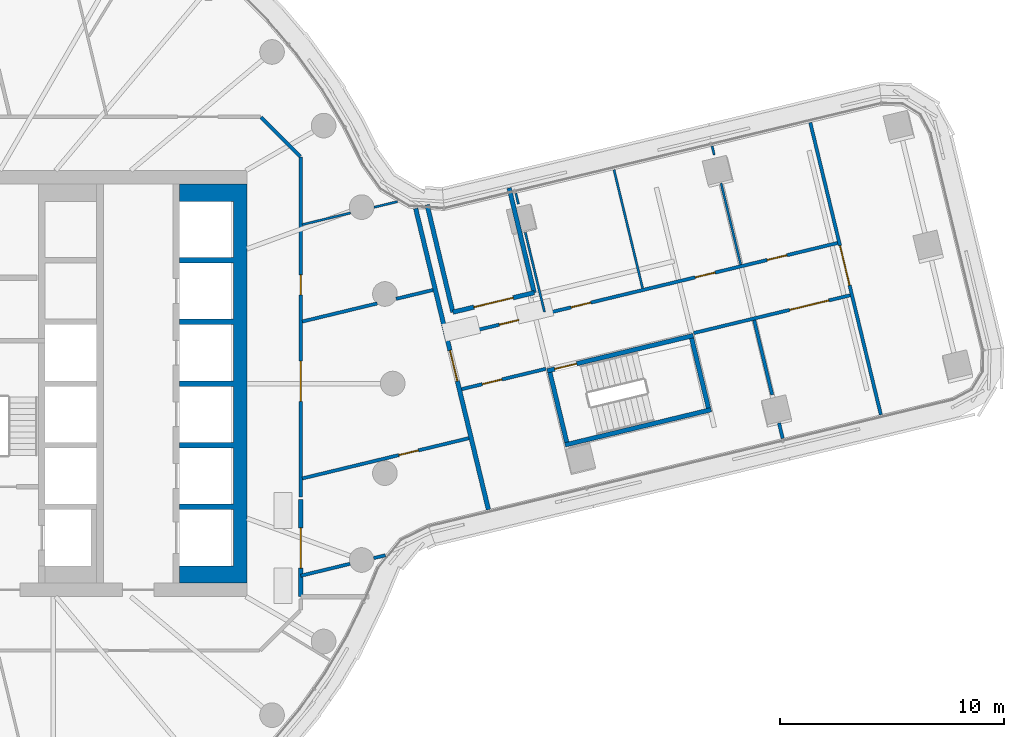
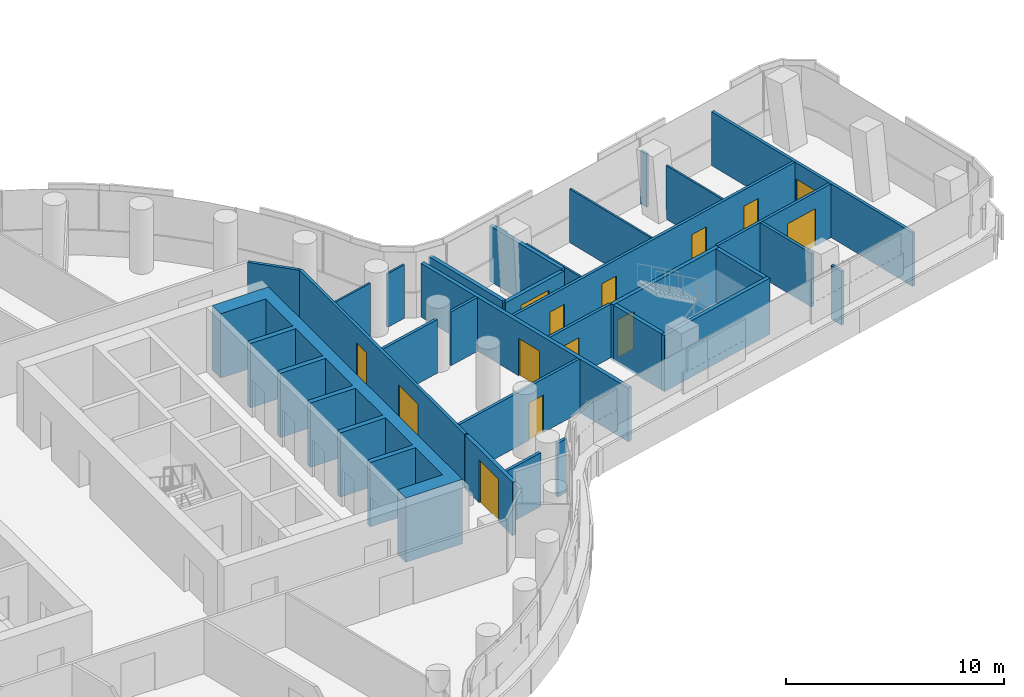
# One storey, part 22 of 33: 30 walls, 14 doors, 14 openings.
"""IFC4 building model written with IfcOpenShell, lengths in metres."""

from ifc_helpers import new_model, si_unit, direction, frame, frame_2d, origin, place, context, subcontext, project, spatial, polyline, rectangle, outline, extrude, material, layer, layer_set, type_object, element, fill, save


model = new_model("IFC4")

# Units and contexts
model_context = context("Model", 3, precision=1e-05, world=origin(), true_north=direction((0.0, 1.0)))
body_context = subcontext(model_context, "Body", "Model", "MODEL_VIEW")
ifc_project = project(units=[si_unit("LENGTHUNIT", "METRE"), si_unit("AREAUNIT", "SQUARE_METRE"), si_unit("VOLUMEUNIT", "CUBIC_METRE"), si_unit("PLANEANGLEUNIT", "RADIAN"), si_unit("MASSUNIT", "GRAM", prefix="KILO")], contexts=[model_context])

# Site, building, storey
site_placement = place(None, origin())
site = spatial("IfcSite", under=ifc_project, at=site_placement, CompositionType="ELEMENT")
building_placement = place(site_placement, origin())
building = spatial("IfcBuilding", under=site, at=building_placement, Name="Tamarind Cross Interchange Tower", CompositionType="ELEMENT")
storey_placement = place(building_placement, frame((0.0, 0.0, 83.5)))
storey = spatial("IfcBuildingStorey", under=building, at=storey_placement, Name="L19", CompositionType="ELEMENT", Elevation=83.5)

# Wall, opening, door
ifc_material_1 = material(Name="Concrete C40", Category="concrete")
ifc_layer_1 = layer(ifc_material_1, 0.199951171875)
ifc_layer_set_1 = layer_set([ifc_layer_1], Name="Concrete C40")
wall_type_1 = type_object("IfcWallType", Name="Balcony and garden door wall", PredefinedType="SOLIDWALL", material=ifc_layer_set_1)
wall_1_placement = place(storey_placement, frame((29.3095703125, 4.052734375, 0.0), z_axis=(0.0, 0.0, 1.0), x_axis=(-0.972345695873, -0.233546243209, 0.0)))
wall_1 = element("IfcWall", 1, at=wall_1_placement, inside=storey, type_object=wall_type_1, Name="EXW-L19-WG-L19-EN", PredefinedType="SOLIDWALL", context=body_context, shape_type="SweptSolid", body=[
    extrude(rectangle(XDim=3.729736328125, YDim=0.199951171875, at=frame_2d((1.86474609375, 0.0))), origin(), (0.0, 0.0, 1.0), 3.010009765625),
])
opening_1_placement = place(wall_1_placement, frame((0.965087890625, 0.0, 0.0)))
opening_1 = element("IfcOpeningElement", 2, at=opening_1_placement, cuts=wall_1, Name="Opening D5", PredefinedType="OPENING", context=body_context, shape_type="SweptSolid", body=[
    extrude(rectangle(XDim=1.800048828125, YDim=2.39990234375, at=frame_2d((0.89990234375, 1.199951171875))), frame((0.0, 0.10986328125, 0.0), z_axis=(0.0, -1.0, 0.0), x_axis=(1.0, 0.0, 0.0)), (0.0, 0.0, 1.0), 0.219970703125),
])
ifc_material_2 = material(Name="Aluminium and toughened glass", Category="aluminium")
door_type_1 = type_object("IfcDoorType", Name="Roof garden door", OperationType="DOUBLE_DOOR_SINGLE_SWING", PredefinedType="DOOR", material=ifc_material_2)
door_1_placement = place(opening_1_placement, origin())
door_1 = element("IfcDoor", 3, at=door_1_placement, inside=storey, type_object=door_type_1, Name="DOR-L19-WG-L19-EN", OperationType="SINGLE_SWING_LEFT", OverallHeight=2.39990234375, OverallWidth=1.800048828125, PredefinedType="DOOR", context=body_context, shape_type="SweptSolid", body=[
    extrude(rectangle(XDim=1.800048828125, YDim=2.39990234375, at=frame_2d((0.89990234375, 1.199951171875))), frame((0.0, 0.02490234375, 0.0), z_axis=(0.0, -1.0, 0.0), x_axis=(1.0, 0.0, 0.0)), (0.0, 0.0, 1.0), 0.050048828125),
])
fill(opening_1, door_1)

# Walls
wall_2_placement = place(storey_placement, frame((29.309814453125, 4.052734375, 0.0), z_axis=(0.0, 0.0, 1.0), x_axis=(-0.233561470918, 0.972342038227, 0.0)))
element("IfcWall", 4, at=wall_2_placement, inside=storey, type_object=wall_type_1, Name="EXW-L19-WG-L19-EN-R0", PredefinedType="SOLIDWALL", context=body_context, shape_type="SweptSolid", body=[
    extrude(rectangle(XDim=4.800048828125, YDim=0.199951171875, at=frame_2d((2.39990234375, 0.0))), origin(), (0.0, 0.0, 1.0), 3.114013671875),
])
wall_3_placement = place(storey_placement, frame((25.6826171875, 3.181640625, 0.0), z_axis=(0.0, 0.0, 1.0), x_axis=(-0.2335134947, 0.972353561105, 0.0)))
element("IfcWall", 5, at=wall_3_placement, inside=storey, type_object=wall_type_1, Name="EXW-L19-WG-L19-EN-R1", PredefinedType="SOLIDWALL", context=body_context, shape_type="SweptSolid", body=[
    extrude(rectangle(XDim=4.927490234375, YDim=0.199951171875, at=frame_2d((2.4638671875, 0.0))), origin(), (0.0, 0.0, 1.0), 3.114013671875),
])

# Wall, opening, door
wall_4_placement = place(storey_placement, frame((18.89990234375, -9.5, 0.0), z_axis=(0.0, 0.0, 1.0), x_axis=(0.0, 1.0, 0.0)))
wall_4 = element("IfcWall", 6, at=wall_4_placement, inside=storey, type_object=wall_type_1, Name="EXW-L19-WG-L19-SE", PredefinedType="SOLIDWALL", context=body_context, shape_type="SweptSolid", body=[
    extrude(rectangle(XDim=4.333984375, YDim=0.199951171875, at=frame_2d((2.1669921875, 0.0))), origin(), (0.0, 0.0, 1.0), 3.013916015625),
])
opening_2_placement = place(wall_4_placement, frame((1.26708984375, 0.0, 0.0)))
opening_2 = element("IfcOpeningElement", 7, at=opening_2_placement, cuts=wall_4, Name="Opening D6", PredefinedType="OPENING", context=body_context, shape_type="SweptSolid", body=[
    extrude(rectangle(XDim=1.800048828125, YDim=2.39990234375, at=frame_2d((0.89990234375, 1.199951171875))), frame((0.0, 0.10986328125, 0.0), z_axis=(0.0, -1.0, 0.0), x_axis=(1.0, 0.0, 0.0)), (0.0, 0.0, 1.0), 0.219970703125),
])
ifc_material_3 = material(Name="Aluminium and toughened glass, fire-resisting", Category="aluminium")
door_type_2 = type_object("IfcDoorType", Name="Roof garden door, fire-resisting", OperationType="DOUBLE_DOOR_SINGLE_SWING", PredefinedType="DOOR", material=ifc_material_3)
door_2_placement = place(opening_2_placement, origin())
door_2 = element("IfcDoor", 8, at=door_2_placement, inside=storey, type_object=door_type_2, Name="DOR-L19-WG-L19-SE", OperationType="SINGLE_SWING_LEFT", OverallHeight=2.39990234375, OverallWidth=1.800048828125, PredefinedType="DOOR", context=body_context, shape_type="SweptSolid", body=[
    extrude(rectangle(XDim=1.800048828125, YDim=2.39990234375, at=frame_2d((0.89990234375, 1.199951171875))), frame((0.0, 0.02490234375, 0.0), z_axis=(0.0, -1.0, 0.0), x_axis=(1.0, 0.0, 0.0)), (0.0, 0.0, 1.0), 0.050048828125),
])
fill(opening_2, door_2)

# Walls
ifc_material_4 = material(Name="Concrete C70", Category="concrete")
ifc_layer_2 = layer(ifc_material_4, 0.60009765625)
ifc_layer_set_2 = layer_set([ifc_layer_2], Name="Concrete C70")
wall_type_2 = type_object("IfcWallType", Name="Core wall 600 mm Concrete C70", PredefinedType="SHEAR", material=ifc_layer_set_2)
wall_5_placement = place(storey_placement, origin())
element("IfcWall", 9, at=wall_5_placement, inside=storey, type_object=wall_type_2, Name="Core wall CWL-L19-E-A", PredefinedType="SHEAR", context=body_context, shape_type="SweptSolid", body=[
    extrude(outline(polyline([(13.5, -8.89990234375), (15.89990234375, -8.89990234375), (16.5, -8.89990234375), (16.5, 8.89990234375), (15.89990234375, 8.89990234375), (13.5, 8.89990234375), (13.5, 8.125), (15.89990234375, 8.125), (15.89990234375, 5.625), (13.5, 5.625), (13.5, 5.375), (15.89990234375, 5.375), (15.89990234375, 2.875), (13.5, 2.875), (13.5, 2.625), (15.89990234375, 2.625), (15.89990234375, 0.125), (13.5, 0.125), (13.5, -0.125), (15.89990234375, -0.125), (15.89990234375, -2.625), (13.5, -2.625), (13.5, -2.875), (15.89990234375, -2.875), (15.89990234375, -5.375), (13.5, -5.375), (13.5, -5.625), (15.89990234375, -5.625), (15.89990234375, -8.125), (13.5, -8.125), (13.5, -8.89990234375)])), origin(), (0.0, 0.0, 1.0), 3.610107421875),
])
ifc_material_5 = material(Name="Gypsum board partition on steel studs", Category="steel")
ifc_layer_3 = layer(ifc_material_5, 0.10009765625)
ifc_layer_set_3 = layer_set([ifc_layer_3], Name="Gypsum board partition on steel studs")
wall_type_3 = type_object("IfcWallType", Name="Partition 100 mm EI 90", PredefinedType="PARTITIONING", material=ifc_layer_set_3)
wall_6_placement = place(storey_placement, frame((28.4892578125, 8.482666015625, 0.0), z_axis=(0.0, 0.0, 1.0), x_axis=(0.235024218834, -0.971989514636, 0.0)))
element("IfcWall", 10, at=wall_6_placement, inside=storey, type_object=wall_type_3, Name="Partition L19-029", PredefinedType="PARTITIONING", context=body_context, shape_type="SweptSolid", body=[
    extrude(rectangle(XDim=0.49755859375, YDim=0.10009765625, at=frame_2d((0.248779296875, 0.0))), origin(), (0.0, 0.0, 1.0), 3.010009765625),
])
wall_7_placement = place(storey_placement, frame((28.910400390625, 6.740478515625, 0.0), z_axis=(0.0, 0.0, 1.0), x_axis=(0.234808182173, -0.972041726257, 0.0)))
element("IfcWall", 11, at=wall_7_placement, inside=storey, type_object=wall_type_3, Name="Partition L19-030", PredefinedType="PARTITIONING", context=body_context, shape_type="SweptSolid", body=[
    extrude(rectangle(XDim=3.653564453125, YDim=0.10009765625, at=frame_2d((1.82666015625, 0.0))), origin(), (0.0, 0.0, 1.0), 3.010009765625),
])
wall_8_placement = place(storey_placement, frame((32.865234375, 9.53369140625, 0.0), z_axis=(0.0, 0.0, 1.0), x_axis=(0.234718096506, -0.972063483098, 0.0)))
element("IfcWall", 12, at=wall_8_placement, inside=storey, type_object=wall_type_3, Name="Partition L19-031", PredefinedType="PARTITIONING", context=body_context, shape_type="SweptSolid", body=[
    extrude(rectangle(XDim=5.435791015625, YDim=0.10009765625, at=frame_2d((2.7177734375, 0.0))), origin(), (0.0, 0.0, 1.0), 3.010009765625),
])
wall_9_placement = place(storey_placement, frame((37.240234375, 10.584716796875, 0.0), z_axis=(0.0, 0.0, 1.0), x_axis=(0.235271117148, -0.971929782153, 0.0)))
element("IfcWall", 13, at=wall_9_placement, inside=storey, type_object=wall_type_3, Name="Partition L19-032", PredefinedType="PARTITIONING", context=body_context, shape_type="SweptSolid", body=[
    extrude(rectangle(XDim=0.403564453125, YDim=0.10009765625, at=frame_2d((0.20166015625, 0.0))), origin(), (0.0, 0.0, 1.0), 3.010009765625),
])
wall_10_placement = place(storey_placement, frame((37.63916015625, 8.933837890625, 0.0), z_axis=(0.0, 0.0, 1.0), x_axis=(0.234778926632, -0.972048792813, 0.0)))
element("IfcWall", 14, at=wall_10_placement, inside=storey, type_object=wall_type_3, Name="Partition L19-033", PredefinedType="PARTITIONING", context=body_context, shape_type="SweptSolid", body=[
    extrude(rectangle(XDim=3.736328125, YDim=0.10009765625, at=frame_2d((1.8681640625, 0.0))), origin(), (0.0, 0.0, 1.0), 3.010009765625),
])
wall_11_placement = place(storey_placement, frame((18.968017578125, 7.08642578125, 0.0), z_axis=(0.0, 0.0, 1.0), x_axis=(0.972061412661, 0.234726670865, 0.0)))
element("IfcWall", 15, at=wall_11_placement, inside=storey, type_object=wall_type_3, Name="Partition L19-072", PredefinedType="PARTITIONING", context=body_context, shape_type="SweptSolid", body=[
    extrude(rectangle(XDim=2.216552734375, YDim=0.10009765625, at=frame_2d((1.1083984375, 0.0))), origin(), (0.0, 0.0, 1.0), 3.010009765625),
])
wall_12_placement = place(storey_placement, frame((22.171142578125, 7.860107421875, 0.0), z_axis=(0.0, 0.0, 1.0), x_axis=(0.972021486392, 0.234891953868, 0.0)))
element("IfcWall", 16, at=wall_12_placement, inside=storey, type_object=wall_type_3, Name="Partition L19-073", PredefinedType="PARTITIONING", context=body_context, shape_type="SweptSolid", body=[
    extrude(rectangle(XDim=1.07568359375, YDim=0.10009765625, at=frame_2d((0.537841796875, 0.0))), origin(), (0.0, 0.0, 1.0), 3.010009765625),
])
ifc_layer_4 = layer(ifc_material_5, 0.14990234375)
ifc_layer_set_4 = layer_set([ifc_layer_4], Name="Gypsum board partition on steel studs")
wall_type_4 = type_object("IfcWallType", Name="Partition 150 mm EI 120", PredefinedType="PARTITIONING", material=ifc_layer_set_4)
wall_13_placement = place(storey_placement, frame((39.115234375, 2.822998046875, 0.0), z_axis=(0.0, 0.0, 1.0), x_axis=(0.234768453457, -0.972051322339, 0.0)))
element("IfcWall", 17, at=wall_13_placement, inside=storey, type_object=wall_type_4, Name="Partition L19-034", PredefinedType="PARTITIONING", context=body_context, shape_type="SweptSolid", body=[
    extrude(rectangle(XDim=3.42041015625, YDim=0.14990234375, at=frame_2d((1.710205078125, 0.0))), origin(), (0.0, 0.0, 1.0), 3.010009765625),
])
wall_14_placement = place(storey_placement, frame((40.222412109375, -1.76025390625, 0.0), z_axis=(0.0, 0.0, 1.0), x_axis=(0.2346629892, -0.972076787862, 0.0)))
element("IfcWall", 18, at=wall_14_placement, inside=storey, type_object=wall_type_4, Name="Partition L19-035", PredefinedType="PARTITIONING", context=body_context, shape_type="SweptSolid", body=[
    extrude(rectangle(XDim=0.70849609375, YDim=0.14990234375, at=frame_2d((0.354248046875, 0.0))), origin(), (0.0, 0.0, 1.0), 3.010009765625),
])

# Wall, opening, door
wall_15_placement = place(storey_placement, frame((41.6162109375, 11.635498046875, 0.0), z_axis=(0.0, 0.0, 1.0), x_axis=(0.234898725019, -0.972019850098, 0.0)))
wall_15 = element("IfcWall", 19, at=wall_15_placement, inside=storey, type_object=wall_type_4, Name="Partition L19-036", PredefinedType="PARTITIONING", context=body_context, shape_type="SweptSolid", body=[
    extrude(rectangle(XDim=13.40234375, YDim=0.14990234375, at=frame_2d((6.701171875, 0.0))), origin(), (0.0, 0.0, 1.0), 3.010009765625),
])
opening_3_placement = place(wall_15_placement, frame((5.653564453125, 0.0, 0.0)))
opening_3 = element("IfcOpeningElement", 20, at=opening_3_placement, cuts=wall_15, Name="Opening D17", PredefinedType="OPENING", context=body_context, shape_type="SweptSolid", body=[
    extrude(rectangle(XDim=1.800048828125, YDim=2.10009765625, at=frame_2d((0.89990234375, 1.050048828125))), frame((0.0, 0.0849609375, 0.0), z_axis=(0.0, -1.0, 0.0), x_axis=(1.0, 0.0, 0.0)), (0.0, 0.0, 1.0), 0.169921875),
])
ifc_material_6 = material(Name="Fire-resisting door set")
door_type_3 = type_object("IfcDoorType", Name="Interior door 1800 x 2100 FD60S", OperationType="DOUBLE_DOOR_SINGLE_SWING", PredefinedType="DOOR", material=ifc_material_6)
door_3_placement = place(opening_3_placement, origin())
door_3 = element("IfcDoor", 21, at=door_3_placement, inside=storey, type_object=door_type_3, Name="Door D17", OperationType="DOUBLE_DOOR_SINGLE_SWING", OverallHeight=2.10009765625, OverallWidth=1.800048828125, PredefinedType="DOOR", context=body_context, shape_type="SweptSolid", body=[
    extrude(rectangle(XDim=1.800048828125, YDim=2.10009765625, at=frame_2d((0.89990234375, 1.050048828125))), frame((0.0, 0.02490234375, 0.0), z_axis=(0.0, -1.0, 0.0), x_axis=(1.0, 0.0, 0.0)), (0.0, 0.0, 1.0), 0.050048828125),
])
fill(opening_3, door_3)

# Wall
wall_16_placement = place(storey_placement, frame((17.12841796875, 11.87158203125, 0.0), z_axis=(0.0, 0.0, 1.0), x_axis=(0.707106781187, -0.707106781187, 0.0)))
element("IfcWall", 22, at=wall_16_placement, inside=storey, type_object=wall_type_4, Name="Partition L19-038", PredefinedType="PARTITIONING", context=body_context, shape_type="SweptSolid", body=[
    extrude(rectangle(XDim=2.465087890625, YDim=0.14990234375, at=frame_2d((1.232421875, 0.0))), origin(), (0.0, 0.0, 1.0), 3.010009765625),
])

# Wall, opening, door
wall_17_placement = place(storey_placement, frame((18.972900390625, -4.2294921875, 0.0), z_axis=(0.0, 0.0, 1.0), x_axis=(0.97203792935, 0.234823899775, 0.0)))
wall_17 = element("IfcWall", 23, at=wall_17_placement, inside=storey, type_object=wall_type_4, Name="Partition L19-069", PredefinedType="PARTITIONING", context=body_context, shape_type="SweptSolid", body=[
    extrude(rectangle(XDim=7.63525390625, YDim=0.14990234375, at=frame_2d((3.817626953125, 0.0))), origin(), (0.0, 0.0, 1.0), 3.010009765625),
])
opening_4_placement = place(wall_17_placement, frame((4.425048828125, 0.0, 0.0)))
opening_4 = element("IfcOpeningElement", 24, at=opening_4_placement, cuts=wall_17, Name="Opening D34", PredefinedType="OPENING", context=body_context, shape_type="SweptSolid", body=[
    extrude(rectangle(XDim=0.89990234375, YDim=2.10009765625, at=frame_2d((0.449951171875, 1.050048828125))), frame((0.0, 0.0849609375, 0.0), z_axis=(0.0, -1.0, 0.0), x_axis=(1.0, 0.0, 0.0)), (0.0, 0.0, 1.0), 0.169921875),
])
door_type_4 = type_object("IfcDoorType", Name="Interior door 900 x 2100 FD60S", OperationType="SINGLE_SWING_LEFT", PredefinedType="DOOR", material=ifc_material_6)
door_4_placement = place(opening_4_placement, frame((0.89990234375, 0.0, 0.0), z_axis=(0.0, 0.0, 1.0), x_axis=(-1.0, 0.0, 0.0)))
door_4 = element("IfcDoor", 25, at=door_4_placement, inside=storey, type_object=door_type_4, Name="Door D34", OperationType="SINGLE_SWING_RIGHT", OverallHeight=2.10009765625, OverallWidth=0.89990234375, PredefinedType="DOOR", context=body_context, shape_type="SweptSolid", body=[
    extrude(rectangle(XDim=0.89990234375, YDim=2.10009765625, at=frame_2d((0.449951171875, 1.050048828125))), frame((0.0, 0.02490234375, 0.0), z_axis=(0.0, -1.0, 0.0), x_axis=(1.0, 0.0, 0.0)), (0.0, 0.0, 1.0), 0.050048828125),
])
fill(opening_4, door_4)

# Walls
wall_18_placement = place(storey_placement, frame((18.972900390625, 2.7666015625, 0.0), z_axis=(0.0, 0.0, 1.0), x_axis=(0.972049735002, 0.234775025681, 0.0)))
element("IfcWall", 26, at=wall_18_placement, inside=storey, type_object=wall_type_4, Name="Partition L19-070", PredefinedType="PARTITIONING", context=body_context, shape_type="SweptSolid", body=[
    extrude(rectangle(XDim=3.4306640625, YDim=0.14990234375, at=frame_2d((1.71533203125, 0.0))), origin(), (0.0, 0.0, 1.0), 3.010009765625),
])
wall_19_placement = place(storey_placement, frame((23.152099609375, 3.776123046875, 0.0), z_axis=(0.0, 0.0, 1.0), x_axis=(0.972053847495, 0.234757997882, 0.0)))
element("IfcWall", 27, at=wall_19_placement, inside=storey, type_object=wall_type_4, Name="Partition L19-071", PredefinedType="PARTITIONING", context=body_context, shape_type="SweptSolid", body=[
    extrude(rectangle(XDim=1.693115234375, YDim=0.14990234375, at=frame_2d((0.8466796875, 0.0))), origin(), (0.0, 0.0, 1.0), 3.010009765625),
])
wall_20_placement = place(storey_placement, frame((18.89990234375, -8.568115234375, 0.0), z_axis=(0.0, 0.0, 1.0), x_axis=(0.971998948833, 0.234985198402, 0.0)))
element("IfcWall", 28, at=wall_20_placement, inside=storey, type_object=wall_type_4, Name="Partition L19-074", PredefinedType="PARTITIONING", context=body_context, shape_type="SweptSolid", body=[
    extrude(rectangle(XDim=2.26171875, YDim=0.14990234375, at=frame_2d((1.130859375, 0.0))), origin(), (0.0, 0.0, 1.0), 3.010009765625),
])
wall_21_placement = place(storey_placement, frame((22.150390625, -7.782470703125, 0.0), z_axis=(0.0, 0.0, 1.0), x_axis=(0.972046753294, 0.234787370638, 0.0)))
element("IfcWall", 29, at=wall_21_placement, inside=storey, type_object=wall_type_4, Name="Partition L19-075", PredefinedType="PARTITIONING", context=body_context, shape_type="SweptSolid", body=[
    extrude(rectangle(XDim=0.541748046875, YDim=0.14990234375, at=frame_2d((0.27099609375, 0.0))), origin(), (0.0, 0.0, 1.0), 3.010009765625),
])

# Wall, openings, doors
wall_22_placement = place(storey_placement, frame((25.50927734375, 2.08251953125, 0.0), z_axis=(0.0, 0.0, 1.0), x_axis=(0.972038240332, 0.234822612482, 0.0)))
wall_22 = element("IfcWall", 30, at=wall_22_placement, inside=storey, type_object=wall_type_4, Name="Partition L19-076", PredefinedType="PARTITIONING", context=body_context, shape_type="SweptSolid", body=[
    extrude(rectangle(XDim=17.825439453125, YDim=0.14990234375, at=frame_2d((8.91259765625, 0.0))), origin(), (0.0, 0.0, 1.0), 3.010009765625),
])
opening_5_placement = place(wall_22_placement, frame((2.300048828125, 0.0, 0.0)))
opening_5 = element("IfcOpeningElement", 31, at=opening_5_placement, cuts=wall_22, Name="Opening D35", PredefinedType="OPENING", context=body_context, shape_type="SweptSolid", body=[
    extrude(rectangle(XDim=0.89990234375, YDim=2.10009765625, at=frame_2d((0.449951171875, 1.050048828125))), frame((0.0, 0.0849609375, 0.0), z_axis=(0.0, -1.0, 0.0), x_axis=(1.0, 0.0, 0.0)), (0.0, 0.0, 1.0), 0.169921875),
])
opening_6_placement = place(wall_22_placement, frame((5.599853515625, 0.0, 0.0)))
opening_6 = element("IfcOpeningElement", 32, at=opening_6_placement, cuts=wall_22, Name="Opening D36", PredefinedType="OPENING", context=body_context, shape_type="SweptSolid", body=[
    extrude(rectangle(XDim=0.89990234375, YDim=2.10009765625, at=frame_2d((0.449951171875, 1.050048828125))), frame((0.0, 0.0849609375, 0.0), z_axis=(0.0, -1.0, 0.0), x_axis=(1.0, 0.0, 0.0)), (0.0, 0.0, 1.0), 0.169921875),
])
opening_7_placement = place(wall_22_placement, frame((11.299560546875, 0.0, 0.0)))
opening_7 = element("IfcOpeningElement", 33, at=opening_7_placement, cuts=wall_22, Name="Opening D37", PredefinedType="OPENING", context=body_context, shape_type="SweptSolid", body=[
    extrude(rectangle(XDim=0.89990234375, YDim=2.10009765625, at=frame_2d((0.449951171875, 1.050048828125))), frame((0.0, 0.0849609375, 0.0), z_axis=(0.0, -1.0, 0.0), x_axis=(1.0, 0.0, 0.0)), (0.0, 0.0, 1.0), 0.169921875),
])
opening_8_placement = place(wall_22_placement, frame((14.599609375, 0.0, 0.0)))
opening_8 = element("IfcOpeningElement", 34, at=opening_8_placement, cuts=wall_22, Name="Opening D38", PredefinedType="OPENING", context=body_context, shape_type="SweptSolid", body=[
    extrude(rectangle(XDim=0.89990234375, YDim=2.10009765625, at=frame_2d((0.449951171875, 1.050048828125))), frame((0.0, 0.0849609375, 0.0), z_axis=(0.0, -1.0, 0.0), x_axis=(1.0, 0.0, 0.0)), (0.0, 0.0, 1.0), 0.169921875),
])
door_5_placement = place(opening_5_placement, origin())
door_5 = element("IfcDoor", 35, at=door_5_placement, inside=storey, type_object=door_type_4, Name="Door D35", OperationType="SINGLE_SWING_RIGHT", OverallHeight=2.10009765625, OverallWidth=0.89990234375, PredefinedType="DOOR", context=body_context, shape_type="SweptSolid", body=[
    extrude(rectangle(XDim=0.89990234375, YDim=2.10009765625, at=frame_2d((0.449951171875, 1.050048828125))), frame((0.0, 0.02490234375, 0.0), z_axis=(0.0, -1.0, 0.0), x_axis=(1.0, 0.0, 0.0)), (0.0, 0.0, 1.0), 0.050048828125),
])
fill(opening_5, door_5)
door_6_placement = place(opening_6_placement, origin())
door_6 = element("IfcDoor", 36, at=door_6_placement, inside=storey, type_object=door_type_4, Name="Door D36", OperationType="SINGLE_SWING_RIGHT", OverallHeight=2.10009765625, OverallWidth=0.89990234375, PredefinedType="DOOR", context=body_context, shape_type="SweptSolid", body=[
    extrude(rectangle(XDim=0.89990234375, YDim=2.10009765625, at=frame_2d((0.449951171875, 1.050048828125))), frame((0.0, 0.02490234375, 0.0), z_axis=(0.0, -1.0, 0.0), x_axis=(1.0, 0.0, 0.0)), (0.0, 0.0, 1.0), 0.050048828125),
])
fill(opening_6, door_6)
door_7_placement = place(opening_7_placement, origin())
door_7 = element("IfcDoor", 37, at=door_7_placement, inside=storey, type_object=door_type_4, Name="Door D37", OperationType="SINGLE_SWING_LEFT", OverallHeight=2.10009765625, OverallWidth=0.89990234375, PredefinedType="DOOR", context=body_context, shape_type="SweptSolid", body=[
    extrude(rectangle(XDim=0.89990234375, YDim=2.10009765625, at=frame_2d((0.449951171875, 1.050048828125))), frame((0.0, 0.02490234375, 0.0), z_axis=(0.0, -1.0, 0.0), x_axis=(1.0, 0.0, 0.0)), (0.0, 0.0, 1.0), 0.050048828125),
])
fill(opening_7, door_7)
door_8_placement = place(opening_8_placement, origin())
door_8 = element("IfcDoor", 38, at=door_8_placement, inside=storey, type_object=door_type_4, Name="Door D38", OperationType="SINGLE_SWING_LEFT", OverallHeight=2.10009765625, OverallWidth=0.89990234375, PredefinedType="DOOR", context=body_context, shape_type="SweptSolid", body=[
    extrude(rectangle(XDim=0.89990234375, YDim=2.10009765625, at=frame_2d((0.449951171875, 1.050048828125))), frame((0.0, 0.02490234375, 0.0), z_axis=(0.0, -1.0, 0.0), x_axis=(1.0, 0.0, 0.0)), (0.0, 0.0, 1.0), 0.050048828125),
])
fill(opening_8, door_8)

# Wall, opening, door
wall_23_placement = place(storey_placement, frame((26.0732421875, -0.25048828125, 0.0), z_axis=(0.0, 0.0, 1.0), x_axis=(0.972017500869, 0.234908446006, 0.0)))
wall_23 = element("IfcWall", 39, at=wall_23_placement, inside=storey, type_object=wall_type_4, Name="Partition L19-077", PredefinedType="PARTITIONING", context=body_context, shape_type="SweptSolid", body=[
    extrude(rectangle(XDim=3.85986328125, YDim=0.14990234375, at=frame_2d((1.929931640625, 0.0))), origin(), (0.0, 0.0, 1.0), 3.010009765625),
])
opening_9_placement = place(wall_23_placement, frame((0.949951171875, 0.0, 0.0)))
opening_9 = element("IfcOpeningElement", 40, at=opening_9_placement, cuts=wall_23, Name="Opening D39", PredefinedType="OPENING", context=body_context, shape_type="SweptSolid", body=[
    extrude(rectangle(XDim=0.89990234375, YDim=2.10009765625, at=frame_2d((0.449951171875, 1.050048828125))), frame((0.0, 0.0849609375, 0.0), z_axis=(0.0, -1.0, 0.0), x_axis=(1.0, 0.0, 0.0)), (0.0, 0.0, 1.0), 0.169921875),
])
door_9_placement = place(opening_9_placement, frame((0.89990234375, 0.0, 0.0), z_axis=(0.0, 0.0, 1.0), x_axis=(-1.0, 0.0, 0.0)))
door_9 = element("IfcDoor", 41, at=door_9_placement, inside=storey, type_object=door_type_4, Name="Door D39", OperationType="SINGLE_SWING_LEFT", OverallHeight=2.10009765625, OverallWidth=0.89990234375, PredefinedType="DOOR", context=body_context, shape_type="SweptSolid", body=[
    extrude(rectangle(XDim=0.89990234375, YDim=2.10009765625, at=frame_2d((0.449951171875, 1.050048828125))), frame((0.0, 0.02490234375, 0.0), z_axis=(0.0, -1.0, 0.0), x_axis=(1.0, 0.0, 0.0)), (0.0, 0.0, 1.0), 0.050048828125),
])
fill(opening_9, door_9)

wall_24_placement = place(storey_placement, frame((36.4150390625, 2.2490234375, 0.0), z_axis=(0.0, 0.0, 1.0), x_axis=(0.972009734347, 0.234940580433, 0.0)))
wall_24 = element("IfcWall", 42, at=wall_24_placement, inside=storey, type_object=wall_type_4, Name="Partition L19-078", PredefinedType="PARTITIONING", context=body_context, shape_type="SweptSolid", body=[
    extrude(rectangle(XDim=7.184814453125, YDim=0.14990234375, at=frame_2d((3.59228515625, 0.0))), origin(), (0.0, 0.0, 1.0), 3.010009765625),
])
opening_10_placement = place(wall_24_placement, frame((4.409912109375, 0.0, 0.0)))
opening_10 = element("IfcOpeningElement", 43, at=opening_10_placement, cuts=wall_24, Name="Opening D40", PredefinedType="OPENING", context=body_context, shape_type="SweptSolid", body=[
    extrude(rectangle(XDim=1.800048828125, YDim=2.10009765625, at=frame_2d((0.89990234375, 1.050048828125))), frame((0.0, 0.0849609375, 0.0), z_axis=(0.0, -1.0, 0.0), x_axis=(1.0, 0.0, 0.0)), (0.0, 0.0, 1.0), 0.169921875),
])
door_10_placement = place(opening_10_placement, frame((1.800048828125, 0.0, 0.0), z_axis=(0.0, 0.0, 1.0), x_axis=(-1.0, 0.0, 0.0)))
door_10 = element("IfcDoor", 44, at=door_10_placement, inside=storey, type_object=door_type_3, Name="Door D40", OperationType="DOUBLE_DOOR_SINGLE_SWING", OverallHeight=2.10009765625, OverallWidth=1.800048828125, PredefinedType="DOOR", context=body_context, shape_type="SweptSolid", body=[
    extrude(rectangle(XDim=1.800048828125, YDim=2.10009765625, at=frame_2d((0.89990234375, 1.050048828125))), frame((0.0, 0.02490234375, 0.0), z_axis=(0.0, -1.0, 0.0), x_axis=(1.0, 0.0, 0.0)), (0.0, 0.0, 1.0), 0.050048828125),
])
fill(opening_10, door_10)

# Wall, openings, doors
wall_25_placement = place(storey_placement, frame((18.89990234375, -5.066162109375, 0.0), z_axis=(0.0, 0.0, 1.0), x_axis=(0.0, 1.0, 0.0)))
wall_25 = element("IfcWall", 45, at=wall_25_placement, inside=storey, type_object=wall_type_4, Name="Partition L19-086", PredefinedType="PARTITIONING", context=body_context, shape_type="SweptSolid", body=[
    extrude(rectangle(XDim=15.166259765625, YDim=0.14990234375, at=frame_2d((7.5830078125, 0.0))), origin(), (0.0, 0.0, 1.0), 3.010009765625),
])
opening_11_placement = place(wall_25_placement, frame((4.26904296875, 0.0, 0.0)))
opening_11 = element("IfcOpeningElement", 46, at=opening_11_placement, cuts=wall_25, Name="Opening D43", PredefinedType="OPENING", context=body_context, shape_type="SweptSolid", body=[
    extrude(rectangle(XDim=1.800048828125, YDim=2.10009765625, at=frame_2d((0.89990234375, 1.050048828125))), frame((0.0, 0.0849609375, 0.0), z_axis=(0.0, -1.0, 0.0), x_axis=(1.0, 0.0, 0.0)), (0.0, 0.0, 1.0), 0.169921875),
])
opening_12_placement = place(wall_25_placement, frame((9.01513671875, 0.0, 0.0)))
opening_12 = element("IfcOpeningElement", 47, at=opening_12_placement, cuts=wall_25, Name="Opening D44", PredefinedType="OPENING", context=body_context, shape_type="SweptSolid", body=[
    extrude(rectangle(XDim=0.89990234375, YDim=2.10009765625, at=frame_2d((0.449951171875, 1.050048828125))), frame((0.0, 0.0849609375, 0.0), z_axis=(0.0, -1.0, 0.0), x_axis=(1.0, 0.0, 0.0)), (0.0, 0.0, 1.0), 0.169921875),
])
door_11_placement = place(opening_11_placement, origin())
door_11 = element("IfcDoor", 48, at=door_11_placement, inside=storey, type_object=door_type_3, Name="Door D43", OperationType="DOUBLE_DOOR_SINGLE_SWING", OverallHeight=2.10009765625, OverallWidth=1.800048828125, PredefinedType="DOOR", context=body_context, shape_type="SweptSolid", body=[
    extrude(rectangle(XDim=1.800048828125, YDim=2.10009765625, at=frame_2d((0.89990234375, 1.050048828125))), frame((0.0, 0.02490234375, 0.0), z_axis=(0.0, -1.0, 0.0), x_axis=(1.0, 0.0, 0.0)), (0.0, 0.0, 1.0), 0.050048828125),
])
fill(opening_11, door_11)
door_12_placement = place(opening_12_placement, frame((0.89990234375, 0.0, 0.0), z_axis=(0.0, 0.0, 1.0), x_axis=(-1.0, 0.0, 0.0)))
door_12 = element("IfcDoor", 49, at=door_12_placement, inside=storey, type_object=door_type_4, Name="Door D44", OperationType="SINGLE_SWING_RIGHT", OverallHeight=2.10009765625, OverallWidth=0.89990234375, PredefinedType="DOOR", context=body_context, shape_type="SweptSolid", body=[
    extrude(rectangle(XDim=0.89990234375, YDim=2.10009765625, at=frame_2d((0.449951171875, 1.050048828125))), frame((0.0, 0.02490234375, 0.0), z_axis=(0.0, -1.0, 0.0), x_axis=(1.0, 0.0, 0.0)), (0.0, 0.0, 1.0), 0.050048828125),
])
fill(opening_12, door_12)

# Wall, opening, door
ifc_layer_5 = layer(ifc_material_5, 0.199951171875)
ifc_layer_set_5 = layer_set([ifc_layer_5], Name="Gypsum board partition on steel studs")
wall_type_5 = type_object("IfcWallType", Name="Partition 200 mm EI 180", PredefinedType="PARTITIONING", material=ifc_layer_set_5)
wall_26_placement = place(storey_placement, frame((24.024169921875, 7.800537109375, 0.0), z_axis=(0.0, 0.0, 1.0), x_axis=(0.234909613641, -0.972017218684, 0.0)))
wall_26 = element("IfcWall", 50, at=wall_26_placement, inside=storey, type_object=wall_type_5, Name="Partition L19-028", PredefinedType="PARTITIONING", context=body_context, shape_type="SweptSolid", body=[
    extrude(rectangle(XDim=13.805908203125, YDim=0.199951171875, at=frame_2d((6.90283203125, 0.0))), origin(), (0.0, 0.0, 1.0), 3.010009765625),
])
opening_13_placement = place(wall_26_placement, frame((6.5068359375, 0.0, 0.0)))
opening_13 = element("IfcOpeningElement", 51, at=opening_13_placement, cuts=wall_26, Name="Opening D16", PredefinedType="OPENING", context=body_context, shape_type="SweptSolid", body=[
    extrude(rectangle(XDim=1.39990234375, YDim=2.10009765625, at=frame_2d((0.699951171875, 1.050048828125))), frame((0.0, 0.10986328125, 0.0), z_axis=(0.0, -1.0, 0.0), x_axis=(1.0, 0.0, 0.0)), (0.0, 0.0, 1.0), 0.219970703125),
])
door_type_5 = type_object("IfcDoorType", Name="Interior door 1400 x 2100 FD120S", OperationType="DOUBLE_DOOR_SINGLE_SWING", PredefinedType="DOOR", material=ifc_material_6)
door_13_placement = place(opening_13_placement, frame((1.39990234375, 0.0, 0.0), z_axis=(0.0, 0.0, 1.0), x_axis=(-1.0, 0.0, 0.0)))
door_13 = element("IfcDoor", 52, at=door_13_placement, inside=storey, type_object=door_type_5, Name="Door D16", OperationType="DOUBLE_DOOR_SINGLE_SWING", OverallHeight=2.10009765625, OverallWidth=1.39990234375, PredefinedType="DOOR", context=body_context, shape_type="SweptSolid", body=[
    extrude(rectangle(XDim=1.39990234375, YDim=2.10009765625, at=frame_2d((0.699951171875, 1.050048828125))), frame((0.0, 0.02490234375, 0.0), z_axis=(0.0, -1.0, 0.0), x_axis=(1.0, 0.0, 0.0)), (0.0, 0.0, 1.0), 0.050048828125),
])
fill(opening_13, door_13)

ifc_layer_6 = layer(ifc_material_1, 0.199951171875)
ifc_layer_set_6 = layer_set([ifc_layer_6], Name="Concrete C40")
wall_type_6 = type_object("IfcWallType", Name="Stair shaft wall 200 mm Concrete C40", PredefinedType="SHEAR", material=ifc_layer_set_6)
wall_27_placement = place(storey_placement, frame((29.88720703125, 0.568115234375, -0.139892578125), z_axis=(0.0, 0.0, 1.0), x_axis=(0.972032605988, 0.234845934383, 0.0)))
wall_27 = element("IfcWall", 53, at=wall_27_placement, inside=storey, type_object=wall_type_6, Name="Core wall CWL-L19-ST3-H", PredefinedType="SHEAR", context=body_context, shape_type="SweptSolid", body=[
    extrude(rectangle(XDim=6.7001953125, YDim=0.199951171875, at=frame_2d((3.35009765625, 0.0))), origin(), (0.0, 0.0, 1.0), 3.14990234375),
])
opening_14_placement = place(wall_27_placement, frame((0.35009765625, 0.0, 0.0)))
opening_14 = element("IfcOpeningElement", 54, at=opening_14_placement, cuts=wall_27, Name="Opening ST3L19", PredefinedType="OPENING", context=body_context, shape_type="SweptSolid", body=[
    extrude(rectangle(XDim=1.0, YDim=2.10009765625, at=frame_2d((0.5, 1.050048828125))), frame((0.0, 0.10986328125, 0.0), z_axis=(0.0, -1.0, 0.0), x_axis=(1.0, 0.0, 0.0)), (0.0, 0.0, 1.0), 0.219970703125),
])
ifc_material_7 = material(Name="Steel, fire-resisting", Category="steel")
door_type_6 = type_object("IfcDoorType", Name="Core fire door 1000 x 2100 FD90", OperationType="SINGLE_SWING_LEFT", PredefinedType="DOOR", material=ifc_material_7)
door_14_placement = place(opening_14_placement, origin())
door_14 = element("IfcDoor", 55, at=door_14_placement, inside=storey, type_object=door_type_6, Name="L19 stair door ST3", OperationType="SINGLE_SWING_LEFT", OverallHeight=2.10009765625, OverallWidth=1.0, PredefinedType="DOOR", context=body_context, shape_type="SweptSolid", body=[
    extrude(rectangle(XDim=1.0, YDim=2.10009765625, at=frame_2d((0.5, 1.050048828125))), frame((0.0, 0.02490234375, 0.0), z_axis=(0.0, -1.0, 0.0), x_axis=(1.0, 0.0, 0.0)), (0.0, 0.0, 1.0), 0.050048828125),
])
fill(opening_14, door_14)

# Walls
wall_28_placement = place(storey_placement, frame((30.685546875, -2.73681640625, -0.139892578125), z_axis=(0.0, 0.0, 1.0), x_axis=(0.972032605988, 0.234845934383, 0.0)))
element("IfcWall", 56, at=wall_28_placement, inside=storey, type_object=wall_type_6, Name="Core wall CWL-L19-ST3-C", PredefinedType="SHEAR", context=body_context, shape_type="SweptSolid", body=[
    extrude(rectangle(XDim=6.7001953125, YDim=0.199951171875, at=frame_2d((3.35009765625, 0.0))), origin(), (0.0, 0.0, 1.0), 3.14990234375),
])
wall_29_placement = place(storey_placement, frame((30.75927734375, -2.6162109375, -0.139892578125), z_axis=(0.0, 0.0, 1.0), x_axis=(-0.234826972877, 0.972037186948, 0.0)))
element("IfcWall", 57, at=wall_29_placement, inside=storey, type_object=wall_type_6, Name="Core wall CWL-L19-ST3-CE", PredefinedType="SHEAR", context=body_context, shape_type="SweptSolid", body=[
    extrude(rectangle(XDim=3.2001953125, YDim=0.199951171875, at=frame_2d((1.60009765625, 0.0))), origin(), (0.0, 0.0, 1.0), 3.14990234375),
])
wall_30_placement = place(storey_placement, frame((0.0, 0.0, -0.139892578125)))
element("IfcWall", 58, at=wall_30_placement, inside=storey, type_object=wall_type_6, Name="Core wall CWL-L19-ST3-CF", PredefinedType="SHEAR", context=body_context, shape_type="SweptSolid", body=[
    extrude(outline(polyline([(36.98046875, -1.113037109375), (37.1748046875, -1.066162109375), (36.42333984375, 2.04443359375), (36.22900390625, 1.997314453125), (36.98046875, -1.113037109375)])), origin(), (0.0, 0.0, 1.0), 3.14990234375),
])

save(model, "model.ifc")
